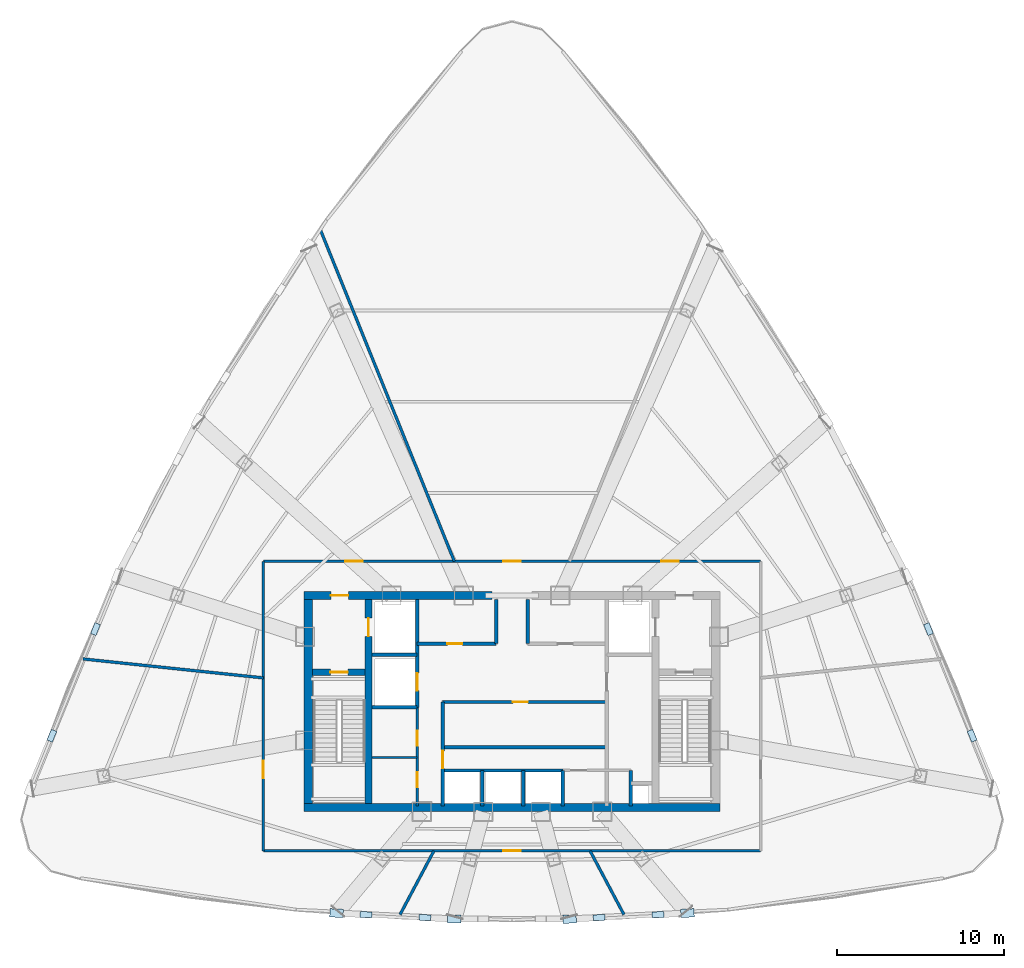
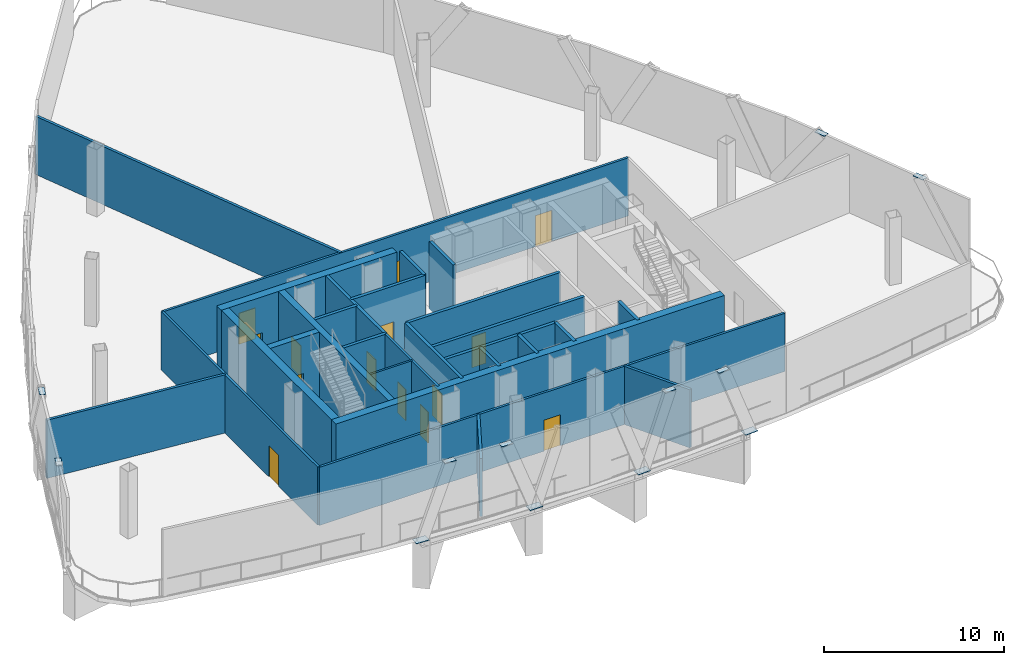
# One storey, part 6 of 12: 28 walls, 14 doors, 12 plates, 14 openings.
"""IFC4 building model written with IfcOpenShell, lengths in metres."""

from ifc_helpers import new_model, si_unit, direction, frame, frame_2d, origin, origin_with_axes, origin_2d, place, context, subcontext, project, spatial, rectangle, extrude, source, transform, mapped, material, layer, layer_set, type_object, element, fill, save


model = new_model("IFC4")

# Units and contexts
model_context = context("Model", 3, precision=1e-05, world=origin(), true_north=direction((0.0, 1.0)))
body_context = subcontext(model_context, "Body", "Model", "MODEL_VIEW")
ifc_project = project(units=[si_unit("LENGTHUNIT", "METRE"), si_unit("AREAUNIT", "SQUARE_METRE"), si_unit("VOLUMEUNIT", "CUBIC_METRE"), si_unit("PLANEANGLEUNIT", "RADIAN"), si_unit("MASSUNIT", "GRAM", prefix="KILO"), si_unit("THERMODYNAMICTEMPERATUREUNIT", "KELVIN"), si_unit("POWERUNIT", "WATT")], contexts=[model_context])

# Site, building, storey
site_placement = place(None, origin())
site = spatial("IfcSite", under=ifc_project, at=site_placement, CompositionType="ELEMENT")
building_placement = place(site_placement, origin())
building = spatial("IfcBuilding", under=site, at=building_placement, Name="Yunzhuo Pagoda Commons", CompositionType="ELEMENT")
storey_placement = place(building_placement, frame((0.0, 0.0, 320.7099609375)))
storey = spatial("IfcBuildingStorey", under=building, at=storey_placement, Name="L80", CompositionType="ELEMENT", Elevation=320.7099609375)

# Plates
ifc_material_1 = material(Name="Structural steel Q355B", Category="steel")
ifc_layer_1 = layer(ifc_material_1, 0.028076171875)
ifc_layer_set_1 = layer_set([ifc_layer_1], Name="Structural steel Q355B")
plate_type = type_object("IfcPlateType", Name="SP-ND1 Lattice Node Cap Plate 800x500x28", PredefinedType="USERDEFINED", material=ifc_layer_set_1)
shared_shape_1 = source(origin(), body_context, "Body", "SweptSolid", [
    extrude(rectangle(XDim=0.800048828125, YDim=0.5, at=origin_2d()), origin(), (0.0, 0.0, 1.0), 0.028076171875),
])
for number, where, z_axis, x_axis, name in (
    (1, (37.485595703125, 21.16943359375, -0.2939453125), (0.0, 0.0, 1.0), (0.998757045498, -0.049843395432, 0.0), "L80 diamond node plate F1.1A"),
    (2, (44.548095703125, 20.81689453125, -0.2939453125), (0.0, 0.0, 1.0), (1.0, 0.0, 0.0), "L80 diamond node plate F1.2A"),
    (3, (51.451904296875, 20.81689453125, -0.2939453125), (0.0, 0.0, 1.0), (0.998757045498, 0.049843395432, 0.0), "L80 diamond node plate F1.3A"),
    (4, (58.514404296875, 21.16943359375, -0.2939453125), (0.0, 0.0, 1.0), (0.998757045498, 0.049843395432, 0.0), "L80 diamond node plate F1.3B"),
):
    element("IfcPlate", number, at=place(storey_placement, frame(where, z_axis=z_axis, x_axis=x_axis)), inside=storey, type_object=plate_type, Name=name, ObjectType="STIFFENER_PLATE", PredefinedType="USERDEFINED", context=body_context, shape_type="MappedRepresentation", body=[
        mapped(shared_shape_1, transform((0.0, 0.0, 0.0), scale=1.0)),
    ])
shared_shape_2 = source(origin(), body_context, "Body", "SweptSolid", [
    extrude(rectangle(XDim=0.699951171875, YDim=0.35009765625, at=origin_2d()), origin(), (0.0, 0.0, 1.0), 0.035888671875),
])
for number, where, z_axis, x_axis, name in (
    (5, (39.251220703125, 21.081298828125, 4.501953125), (0.0, 0.0, 1.0), (0.998757045498, -0.049843395432, 0.0), "L80 setback lattice tie plate F1.1L"),
    (6, (42.782470703125, 20.905029296875, 4.501953125), (0.0, 0.0, 1.0), (0.998757045498, -0.049843395432, 0.0), "L80 setback lattice tie plate F1.1R"),
    (7, (53.217529296875, 20.905029296875, 4.501953125), (0.0, 0.0, 1.0), (0.998757045498, 0.049843395432, 0.0), "L80 setback lattice tie plate F1.3L"),
    (8, (56.748779296875, 21.081298828125, 4.501953125), (0.0, 0.0, 1.0), (0.998757045498, 0.049843395432, 0.0), "L80 setback lattice tie plate F1.3R"),
    (9, (75.571044921875, 31.80224609375, 4.501953125), (0.0, 0.0, 1.0), (-0.378567847265, 0.925573543819, 0.0), "L80 setback lattice tie plate F2.1L"),
    (10, (72.9580078125, 38.190673828125, 4.501953125), (0.0, 0.0, 1.0), (-0.378567847265, 0.925573543819, 0.0), "L80 setback lattice tie plate F2.1R"),
    (11, (23.0419921875, 38.190673828125, 4.501953125), (0.0, 0.0, 1.0), (-0.378567847265, -0.925573543819, 0.0), "L80 setback lattice tie plate F3.3L"),
    (12, (20.428955078125, 31.80224609375, 4.501953125), (0.0, 0.0, 1.0), (-0.378567847265, -0.925573543819, 0.0), "L80 setback lattice tie plate F3.3R"),
):
    element("IfcPlate", number, at=place(storey_placement, frame(where, z_axis=z_axis, x_axis=x_axis)), inside=storey, type_object=plate_type, Name=name, ObjectType="STIFFENER_PLATE", PredefinedType="USERDEFINED", context=body_context, shape_type="MappedRepresentation", body=[
        mapped(shared_shape_2, transform((0.0, 0.0, 0.0), scale=1.0)),
    ])

# Wall
ifc_material_2 = material(Name="Concrete C50", Category="concrete")
ifc_layer_2 = layer(ifc_material_2, 0.5)
ifc_layer_set_2 = layer_set([ifc_layer_2], Name="Concrete C50")
wall_type_1 = type_object("IfcWallType", Name="W-C03 Upper Core Shear Wall 500", PredefinedType="SHEAR", material=ifc_layer_set_2)
wall_1_placement = place(storey_placement, frame((35.550048828125, 27.5, 0.0), z_axis=(0.0, 0.0, 1.0), x_axis=(1.0, 0.0, 0.0)))
element("IfcWall", 13, at=wall_1_placement, inside=storey, type_object=wall_type_1, Name="L80 core shear wall S", PredefinedType="SHEAR", context=body_context, shape_type="SweptSolid", body=[
    extrude(rectangle(XDim=24.89990234375, YDim=0.5, at=frame_2d((12.449951171875, 0.0))), origin(), (0.0, 0.0, 1.0), 4.5400390625),
])

# Wall, opening, door
wall_2_placement = place(storey_placement, frame((35.550048828125, 40.199951171875, 0.0), z_axis=(0.0, 0.0, 1.0), x_axis=(1.0, 0.0, 0.0)))
wall_2 = element("IfcWall", 14, at=wall_2_placement, inside=storey, type_object=wall_type_1, Name="L80 core shear wall NW", PredefinedType="SHEAR", context=body_context, shape_type="SweptSolid", body=[
    extrude(rectangle(XDim=11.25, YDim=0.5, at=frame_2d((5.625, 0.0))), origin(), (0.0, 0.0, 1.0), 4.5400390625),
])
opening_1_placement = place(wall_2_placement, frame((1.60009765625, 0.0, 0.0)))
opening_1 = element("IfcOpeningElement", 15, at=opening_1_placement, cuts=wall_2, Name="Opening D-02", PredefinedType="OPENING", context=body_context, shape_type="SweptSolid", body=[
    extrude(rectangle(XDim=1.050048828125, YDim=2.10009765625, at=frame_2d((0.52490234375, 1.050048828125))), frame((0.0, 0.260009765625, 0.0), z_axis=(0.0, -1.0, 0.0), x_axis=(1.0, 0.0, 0.0)), (0.0, 0.0, 1.0), 0.52001953125),
])
ifc_material_3 = material(Name="Galvanized fire-resisting metal leaf")
door_type_1 = type_object("IfcDoorType", Name="D-02 Firefighting Lobby & Refuge Fire Door 1050x2100", OperationType="NOTDEFINED", PredefinedType="DOOR", material=ifc_material_3)
shared_shape_3 = source(origin(), body_context, "Body", "SweptSolid", [
    extrude(rectangle(XDim=1.050048828125, YDim=2.10009765625, at=frame_2d((0.52490234375, 1.050048828125))), frame((0.0, 0.02490234375, 0.0), z_axis=(0.0, -1.0, 0.0), x_axis=(1.0, 0.0, 0.0)), (0.0, 0.0, 1.0), 0.050048828125),
])
door_1_placement = place(opening_1_placement, frame((1.050048828125, 0.0, 0.0), z_axis=(0.0, 0.0, 1.0), x_axis=(-1.0, 0.0, 0.0)))
door_1 = element("IfcDoor", 16, at=door_1_placement, inside=storey, type_object=door_type_1, Name="L80 Firefighting Lobby 1 fire door", OperationType="SINGLE_SWING_LEFT", OverallHeight=2.10009765625, OverallWidth=1.050048828125, PredefinedType="DOOR", context=body_context, shape_type="MappedRepresentation", body=[
    mapped(shared_shape_3, transform((0.0, 0.0, 0.0), scale=1.0)),
])
fill(opening_1, door_1)

# Wall
wall_3_placement = place(storey_placement, frame((35.800048828125, 27.75, 0.0), z_axis=(0.0, 0.0, 1.0), x_axis=(0.0, 1.0, 0.0)))
element("IfcWall", 17, at=wall_3_placement, inside=storey, type_object=wall_type_1, Name="L80 core shear wall W", PredefinedType="SHEAR", context=body_context, shape_type="SweptSolid", body=[
    extrude(rectangle(XDim=12.199951171875, YDim=0.5, at=frame_2d((6.10009765625, 0.0))), origin(), (0.0, 0.0, 1.0), 4.5400390625),
])

# Wall, openings, doors
ifc_material_4 = material(Name="Gypsum plasterboard on acoustic stud")
ifc_layer_3 = layer(ifc_material_4, 0.14990234375)
ifc_layer_set_3 = layer_set([ifc_layer_3], Name="Gypsum plasterboard on acoustic stud")
wall_type_2 = type_object("IfcWallType", Name="W-COR3 High-Zone Rated Corridor Wall 150", PredefinedType="PARTITIONING", material=ifc_layer_set_3)
wall_4_placement = place(storey_placement, frame((42.320068359375, 27.60009765625, 0.0), z_axis=(0.0, 0.0, 1.0), x_axis=(0.0, 1.0, 0.0)))
wall_4 = element("IfcWall", 18, at=wall_4_placement, inside=storey, type_object=wall_type_2, Name="L80 interior wall IW-L80-CSWE", PredefinedType="PARTITIONING", context=body_context, shape_type="SweptSolid", body=[
    extrude(rectangle(XDim=5.89990234375, YDim=0.14990234375, at=frame_2d((2.949951171875, 0.0))), origin(), (0.0, 0.0, 1.0), 4.5400390625),
])
opening_2_placement = place(wall_4_placement, frame((1.10009765625, 0.0, 0.0)))
opening_2 = element("IfcOpeningElement", 19, at=opening_2_placement, cuts=wall_4, Name="Opening D-03", PredefinedType="OPENING", context=body_context, shape_type="SweptSolid", body=[
    extrude(rectangle(XDim=0.89990234375, YDim=2.10009765625, at=frame_2d((0.449951171875, 1.050048828125))), frame((0.0, 0.0849609375, 0.0), z_axis=(0.0, -1.0, 0.0), x_axis=(1.0, 0.0, 0.0)), (0.0, 0.0, 1.0), 0.169921875),
])
opening_3_placement = place(wall_4_placement, frame((3.60009765625, 0.0, 0.0)))
opening_3 = element("IfcOpeningElement", 20, at=opening_3_placement, cuts=wall_4, Name="Opening D-03", PredefinedType="OPENING", context=body_context, shape_type="SweptSolid", body=[
    extrude(rectangle(XDim=0.89990234375, YDim=2.10009765625, at=frame_2d((0.449951171875, 1.050048828125))), frame((0.0, 0.0849609375, 0.0), z_axis=(0.0, -1.0, 0.0), x_axis=(1.0, 0.0, 0.0)), (0.0, 0.0, 1.0), 0.169921875),
])
door_type_2 = type_object("IfcDoorType", Name="D-03 Core Service Fire Door 900x2100", OperationType="NOTDEFINED", PredefinedType="DOOR", material=ifc_material_3)
shared_shape_4 = source(origin(), body_context, "Body", "SweptSolid", [
    extrude(rectangle(XDim=0.89990234375, YDim=2.10009765625, at=frame_2d((0.449951171875, 1.050048828125))), frame((0.0, 0.02490234375, 0.0), z_axis=(0.0, -1.0, 0.0), x_axis=(1.0, 0.0, 0.0)), (0.0, 0.0, 1.0), 0.050048828125),
])
door_2_placement = place(opening_2_placement, origin_with_axes())
door_2 = element("IfcDoor", 21, at=door_2_placement, inside=storey, type_object=door_type_2, Name="L80 housekeeping door", OperationType="SINGLE_SWING_RIGHT", OverallHeight=2.10009765625, OverallWidth=0.89990234375, PredefinedType="DOOR", context=body_context, shape_type="MappedRepresentation", body=[
    mapped(shared_shape_4, transform((0.0, 0.0, 0.0), scale=1.0)),
])
fill(opening_2, door_2)
door_3_placement = place(opening_3_placement, origin_with_axes())
door_3 = element("IfcDoor", 22, at=door_3_placement, inside=storey, type_object=door_type_2, Name="L80 core control door", OperationType="SINGLE_SWING_RIGHT", OverallHeight=2.10009765625, OverallWidth=0.89990234375, PredefinedType="DOOR", context=body_context, shape_type="MappedRepresentation", body=[
    mapped(shared_shape_4, transform((0.0, 0.0, 0.0), scale=1.0)),
])
fill(opening_3, door_3)

# Wall, opening, door
wall_5_placement = place(storey_placement, frame((33.10009765625, 24.89990234375, 0.0), z_axis=(0.0, 0.0, 1.0), x_axis=(1.0, 0.0, 0.0)))
wall_5 = element("IfcWall", 23, at=wall_5_placement, inside=storey, type_object=wall_type_2, Name="L80 interior wall IW-L80-SCW01", PredefinedType="PARTITIONING", context=body_context, shape_type="SweptSolid", body=[
    extrude(rectangle(XDim=29.7998046875, YDim=0.14990234375, at=frame_2d((14.89990234375, 0.0))), origin(), (0.0, 0.0, 1.0), 3.93994140625),
])
opening_4_placement = place(wall_5_placement, frame((14.375, 0.0, 0.0)))
opening_4 = element("IfcOpeningElement", 24, at=opening_4_placement, cuts=wall_5, Name="Opening D-02", PredefinedType="OPENING", context=body_context, shape_type="SweptSolid", body=[
    extrude(rectangle(XDim=1.050048828125, YDim=2.10009765625, at=frame_2d((0.52490234375, 1.050048828125))), frame((0.0, 0.0849609375, 0.0), z_axis=(0.0, -1.0, 0.0), x_axis=(1.0, 0.0, 0.0)), (0.0, 0.0, 1.0), 0.169921875),
])
door_4_placement = place(opening_4_placement, origin_with_axes())
door_4 = element("IfcDoor", 25, at=door_4_placement, inside=storey, type_object=door_type_1, Name="L80 South Refuge Area door", OperationType="SINGLE_SWING_LEFT", OverallHeight=2.10009765625, OverallWidth=1.050048828125, PredefinedType="DOOR", context=body_context, shape_type="MappedRepresentation", body=[
    mapped(shared_shape_3, transform((0.0, 0.0, 0.0), scale=1.0)),
])
fill(opening_4, door_4)

# Wall, openings, doors
wall_6_placement = place(storey_placement, frame((62.89990234375, 42.25, 0.0), z_axis=(0.0, 0.0, 1.0), x_axis=(-1.0, 0.0, 0.0)))
wall_6 = element("IfcWall", 26, at=wall_6_placement, inside=storey, type_object=wall_type_2, Name="L80 interior wall IW-L80-SCW03", PredefinedType="PARTITIONING", context=body_context, shape_type="SweptSolid", body=[
    extrude(rectangle(XDim=29.7998046875, YDim=0.14990234375, at=frame_2d((14.89990234375, 0.0))), origin(), (0.0, 0.0, 1.0), 3.93994140625),
])
opening_5_placement = place(wall_6_placement, frame((4.897705078125, 0.0, 0.0)))
opening_5 = element("IfcOpeningElement", 27, at=opening_5_placement, cuts=wall_6, Name="Opening D-02", PredefinedType="OPENING", context=body_context, shape_type="SweptSolid", body=[
    extrude(rectangle(XDim=1.050048828125, YDim=2.10009765625, at=frame_2d((0.52490234375, 1.050048828125))), frame((0.0, 0.0849609375, 0.0), z_axis=(0.0, -1.0, 0.0), x_axis=(1.0, 0.0, 0.0)), (0.0, 0.0, 1.0), 0.169921875),
])
opening_6_placement = place(wall_6_placement, frame((14.375, 0.0, 0.0)))
opening_6 = element("IfcOpeningElement", 28, at=opening_6_placement, cuts=wall_6, Name="Opening D-02", PredefinedType="OPENING", context=body_context, shape_type="SweptSolid", body=[
    extrude(rectangle(XDim=1.050048828125, YDim=2.10009765625, at=frame_2d((0.52490234375, 1.050048828125))), frame((0.0, 0.0849609375, 0.0), z_axis=(0.0, -1.0, 0.0), x_axis=(1.0, 0.0, 0.0)), (0.0, 0.0, 1.0), 0.169921875),
])
opening_7_placement = place(wall_6_placement, frame((23.852294921875, 0.0, 0.0)))
opening_7 = element("IfcOpeningElement", 29, at=opening_7_placement, cuts=wall_6, Name="Opening D-02", PredefinedType="OPENING", context=body_context, shape_type="SweptSolid", body=[
    extrude(rectangle(XDim=1.050048828125, YDim=2.10009765625, at=frame_2d((0.52490234375, 1.050048828125))), frame((0.0, 0.0849609375, 0.0), z_axis=(0.0, -1.0, 0.0), x_axis=(1.0, 0.0, 0.0)), (0.0, 0.0, 1.0), 0.169921875),
])
door_5_placement = place(opening_5_placement, origin_with_axes())
door_5 = element("IfcDoor", 30, at=door_5_placement, inside=storey, type_object=door_type_1, Name="L80 Air Handling Plant Room door", OperationType="SINGLE_SWING_LEFT", OverallHeight=2.10009765625, OverallWidth=1.050048828125, PredefinedType="DOOR", context=body_context, shape_type="MappedRepresentation", body=[
    mapped(shared_shape_3, transform((0.0, 0.0, 0.0), scale=1.0)),
])
fill(opening_5, door_5)
door_6_placement = place(opening_6_placement, origin_with_axes())
door_6 = element("IfcDoor", 31, at=door_6_placement, inside=storey, type_object=door_type_1, Name="L80 North Refuge Area door", OperationType="SINGLE_SWING_RIGHT", OverallHeight=2.10009765625, OverallWidth=1.050048828125, PredefinedType="DOOR", context=body_context, shape_type="MappedRepresentation", body=[
    mapped(shared_shape_3, transform((0.0, 0.0, 0.0), scale=1.0)),
])
fill(opening_6, door_6)
door_7_placement = place(opening_7_placement, origin_with_axes())
door_7 = element("IfcDoor", 32, at=door_7_placement, inside=storey, type_object=door_type_1, Name="L80 Hydronic and Fire Pump Plant Room door", OperationType="SINGLE_SWING_LEFT", OverallHeight=2.10009765625, OverallWidth=1.050048828125, PredefinedType="DOOR", context=body_context, shape_type="MappedRepresentation", body=[
    mapped(shared_shape_3, transform((0.0, 0.0, 0.0), scale=1.0)),
])
fill(opening_7, door_7)

# Wall, opening, door
wall_7_placement = place(storey_placement, frame((33.10009765625, 42.25, 0.0), z_axis=(0.0, 0.0, 1.0), x_axis=(0.0, -1.0, 0.0)))
wall_7 = element("IfcWall", 33, at=wall_7_placement, inside=storey, type_object=wall_type_2, Name="L80 interior wall IW-L80-SCW04", PredefinedType="PARTITIONING", context=body_context, shape_type="SweptSolid", body=[
    extrude(rectangle(XDim=17.35009765625, YDim=0.14990234375, at=frame_2d((8.675048828125, 0.0))), origin(), (0.0, 0.0, 1.0), 3.93994140625),
])
opening_8_placement = place(wall_7_placement, frame((11.94189453125, 0.0, 0.0)))
opening_8 = element("IfcOpeningElement", 34, at=opening_8_placement, cuts=wall_7, Name="Opening D-02", PredefinedType="OPENING", context=body_context, shape_type="SweptSolid", body=[
    extrude(rectangle(XDim=1.050048828125, YDim=2.10009765625, at=frame_2d((0.52490234375, 1.050048828125))), frame((0.0, 0.0849609375, 0.0), z_axis=(0.0, -1.0, 0.0), x_axis=(1.0, 0.0, 0.0)), (0.0, 0.0, 1.0), 0.169921875),
])
door_8_placement = place(opening_8_placement, origin_with_axes())
door_8 = element("IfcDoor", 35, at=door_8_placement, inside=storey, type_object=door_type_1, Name="L80 South Refuge Area door", OperationType="SINGLE_SWING_RIGHT", OverallHeight=2.10009765625, OverallWidth=1.050048828125, PredefinedType="DOOR", context=body_context, shape_type="MappedRepresentation", body=[
    mapped(shared_shape_3, transform((0.0, 0.0, 0.0), scale=1.0)),
])
fill(opening_8, door_8)

# Walls
ifc_layer_4 = layer(ifc_material_4, 0.1201171875)
ifc_layer_set_4 = layer_set([ifc_layer_4], Name="Gypsum plasterboard on acoustic stud")
wall_type_3 = type_object("IfcWallType", Name="W-PRT1 Suite & Bathroom Partition 120", PredefinedType="PARTITIONING", material=ifc_layer_set_4)
wall_8_placement = place(storey_placement, frame((39.60009765625, 30.5, 0.0), z_axis=(0.0, 0.0, 1.0), x_axis=(1.0, 0.0, 0.0)))
element("IfcWall", 36, at=wall_8_placement, inside=storey, type_object=wall_type_3, Name="L80 interior wall IW-L80-CB1", PredefinedType="PARTITIONING", context=body_context, shape_type="SweptSolid", body=[
    extrude(rectangle(XDim=2.719970703125, YDim=0.1201171875, at=frame_2d((1.35986328125, 0.0))), origin(), (0.0, 0.0, 1.0), 4.5400390625),
])
ifc_layer_5 = layer(ifc_material_4, 0.169921875)
ifc_layer_set_5 = layer_set([ifc_layer_5], Name="Gypsum plasterboard on acoustic stud")
wall_type_4 = type_object("IfcWallType", Name="W-PRT4 High-Zone Demising Wall 170", PredefinedType="PARTITIONING", material=ifc_layer_set_5)
wall_9_placement = place(storey_placement, frame((44.545654296875, 42.25, 0.0), z_axis=(0.0, 0.0, 1.0), x_axis=(-0.374603551527, 0.927185083564, 0.0)))
element("IfcWall", 37, at=wall_9_placement, inside=storey, type_object=wall_type_4, Name="L80 interior wall IW-L80-SRAD3", PredefinedType="PARTITIONING", context=body_context, shape_type="SweptSolid", body=[
    extrude(rectangle(XDim=21.43212890625, YDim=0.169921875, at=frame_2d((10.716064453125, 0.0))), origin(), (0.0, 0.0, 1.0), 3.93994140625),
])
wall_10_placement = place(storey_placement, frame((33.10009765625, 35.26611328125, 0.0), z_axis=(0.0, 0.0, 1.0), x_axis=(-0.994523538022, 0.104512833281, 0.0)))
element("IfcWall", 38, at=wall_10_placement, inside=storey, type_object=wall_type_4, Name="L80 interior wall IW-L80-SRAD4", PredefinedType="PARTITIONING", context=body_context, shape_type="SweptSolid", body=[
    extrude(rectangle(XDim=10.86474609375, YDim=0.169921875, at=frame_2d((5.432373046875, 0.0))), origin(), (0.0, 0.0, 1.0), 3.93994140625),
])
for number, where, z_axis, x_axis, name in (
    (39, (43.321044921875, 24.89990234375, 0.0), (0.0, 0.0, 1.0), (-0.469500598457, -0.882932153706, 0.0), "L80 interior wall IW-L80-SRAD5"),
    (40, (52.678955078125, 24.89990234375, 0.0), (0.0, 0.0, 1.0), (0.469500598457, -0.882932153706, 0.0), "L80 interior wall IW-L80-SRAD6"),
):
    element("IfcWall", number, at=place(storey_placement, frame(where, z_axis=z_axis, x_axis=x_axis)), inside=storey, type_object=wall_type_4, Name=name, PredefinedType="PARTITIONING", context=body_context, shape_type="SweptSolid", body=[
        extrude(rectangle(XDim=4.32373046875, YDim=0.169921875, at=frame_2d((2.161865234375, 0.0))), origin(), (0.0, 0.0, 1.0), 3.93994140625),
    ])

# Wall, opening, door
ifc_material_5 = material(Name="Concrete C60", Category="concrete")
ifc_layer_6 = layer(ifc_material_5, 0.39990234375)
ifc_layer_set_6 = layer_set([ifc_layer_6], Name="Concrete C60")
wall_type_5 = type_object("IfcWallType", Name="W-S01 Internal Core Shear Web 400", PredefinedType="SHEAR", material=ifc_layer_set_6)
wall_11_placement = place(storey_placement, frame((39.39990234375, 27.75, 0.0), z_axis=(0.0, 0.0, 1.0), x_axis=(0.0, 1.0, 0.0)))
wall_11 = element("IfcWall", 41, at=wall_11_placement, inside=storey, type_object=wall_type_5, Name="L80 core shear wall WEBW", PredefinedType="SHEAR", context=body_context, shape_type="SweptSolid", body=[
    extrude(rectangle(XDim=12.199951171875, YDim=0.39990234375, at=frame_2d((6.10009765625, 0.0))), origin(), (0.0, 0.0, 1.0), 4.5400390625),
])
opening_9_placement = place(wall_11_placement, frame((10.0, 0.0, 0.0)))
opening_9 = element("IfcOpeningElement", 42, at=opening_9_placement, cuts=wall_11, Name="Opening LD-01", PredefinedType="OPENING", context=body_context, shape_type="SweptSolid", body=[
    extrude(rectangle(XDim=1.10009765625, YDim=2.10009765625, at=frame_2d((0.550048828125, 1.050048828125))), frame((0.0, 0.2099609375, 0.0), z_axis=(0.0, -1.0, 0.0), x_axis=(1.0, 0.0, 0.0)), (0.0, 0.0, 1.0), 0.419921875),
])
door_type_3 = type_object("IfcDoorType", Name="LD-01 Firefighting Lift Landing Door 1100x2100", OperationType="DOUBLE_DOOR_SLIDING", PredefinedType="DOOR", material=ifc_material_3)
shared_shape_5 = source(origin(), body_context, "Body", "SweptSolid", [
    extrude(rectangle(XDim=1.10009765625, YDim=2.10009765625, at=frame_2d((0.550048828125, 1.050048828125))), frame((0.0, 0.02490234375, 0.0), z_axis=(0.0, -1.0, 0.0), x_axis=(1.0, 0.0, 0.0)), (0.0, 0.0, 1.0), 0.050048828125),
])
door_9_placement = place(opening_9_placement, frame((1.10009765625, 0.0, 0.0), z_axis=(0.0, 0.0, 1.0), x_axis=(-1.0, 0.0, 0.0)))
door_9 = element("IfcDoor", 43, at=door_9_placement, inside=storey, type_object=door_type_3, Name="L80 Firefighting lift FL-1 landing door", OperationType="DOUBLE_DOOR_SLIDING", OverallHeight=2.10009765625, OverallWidth=1.10009765625, PredefinedType="DOOR", context=body_context, shape_type="MappedRepresentation", body=[
    mapped(shared_shape_5, transform((0.0, 0.0, 0.0), scale=1.0)),
])
fill(opening_9, door_9)

wall_12_placement = place(storey_placement, frame((36.050048828125, 35.60009765625, 0.0), z_axis=(0.0, 0.0, 1.0), x_axis=(1.0, 0.0, 0.0)))
wall_12 = element("IfcWall", 44, at=wall_12_placement, inside=storey, type_object=wall_type_5, Name="L80 core shear wall STW", PredefinedType="SHEAR", context=body_context, shape_type="SweptSolid", body=[
    extrude(rectangle(XDim=3.14990234375, YDim=0.39990234375, at=frame_2d((1.574951171875, 0.0))), origin(), (0.0, 0.0, 1.0), 4.5400390625),
])
opening_10_placement = place(wall_12_placement, frame((1.070068359375, 0.0, 0.0)))
opening_10 = element("IfcOpeningElement", 45, at=opening_10_placement, cuts=wall_12, Name="Opening D-01", PredefinedType="OPENING", context=body_context, shape_type="SweptSolid", body=[
    extrude(rectangle(XDim=1.050048828125, YDim=2.10009765625, at=frame_2d((0.52490234375, 1.050048828125))), frame((0.0, 0.2099609375, 0.0), z_axis=(0.0, -1.0, 0.0), x_axis=(1.0, 0.0, 0.0)), (0.0, 0.0, 1.0), 0.419921875),
])
door_type_4 = type_object("IfcDoorType", Name="D-01 Smokeproof Stair Fire Door 1050x2100", OperationType="NOTDEFINED", PredefinedType="DOOR", material=ifc_material_3)
door_10_placement = place(opening_10_placement, frame((1.050048828125, 0.0, 0.0), z_axis=(0.0, 0.0, 1.0), x_axis=(-1.0, 0.0, 0.0)))
door_10 = element("IfcDoor", 46, at=door_10_placement, inside=storey, type_object=door_type_4, Name="L80 Stair ST1 fire door", OperationType="SINGLE_SWING_LEFT", OverallHeight=2.10009765625, OverallWidth=1.050048828125, PredefinedType="DOOR", context=body_context, shape_type="MappedRepresentation", body=[
    mapped(shared_shape_3, transform((0.0, 0.0, 0.0), scale=1.0)),
])
fill(opening_10, door_10)

ifc_material_6 = material(Name="Concrete C40", Category="concrete")
ifc_layer_7 = layer(ifc_material_6, 0.199951171875)
ifc_layer_set_7 = layer_set([ifc_layer_7], Name="Concrete C40")
wall_type_6 = type_object("IfcWallType", Name="W-SHF Shaft & Stair Enclosure Wall 200", PredefinedType="SOLIDWALL", material=ifc_layer_set_7)
wall_13_placement = place(storey_placement, frame((42.320068359375, 33.5, 0.0), z_axis=(0.0, 0.0, 1.0), x_axis=(0.0, 1.0, 0.0)))
wall_13 = element("IfcWall", 47, at=wall_13_placement, inside=storey, type_object=wall_type_6, Name="L80 interior wall IW-L80-FL1E", PredefinedType="SOLIDWALL", context=body_context, shape_type="SweptSolid", body=[
    extrude(rectangle(XDim=6.449951171875, YDim=0.199951171875, at=frame_2d((3.22509765625, 0.0))), origin(), (0.0, 0.0, 1.0), 4.5400390625),
])
opening_11_placement = place(wall_13_placement, frame((1.0, 0.0, 0.0)))
opening_11 = element("IfcOpeningElement", 48, at=opening_11_placement, cuts=wall_13, Name="Opening LD-02", PredefinedType="OPENING", context=body_context, shape_type="SweptSolid", body=[
    extrude(rectangle(XDim=1.050048828125, YDim=2.10009765625, at=frame_2d((0.52490234375, 1.050048828125))), frame((0.0, 0.10986328125, 0.0), z_axis=(0.0, -1.0, 0.0), x_axis=(1.0, 0.0, 0.0)), (0.0, 0.0, 1.0), 0.219970703125),
])
door_type_5 = type_object("IfcDoorType", Name="LD-02 Passenger Lift Landing Door 1050x2100", OperationType="DOUBLE_DOOR_SLIDING", PredefinedType="DOOR", material=ifc_material_3)
door_11_placement = place(opening_11_placement, origin_with_axes())
door_11 = element("IfcDoor", 49, at=door_11_placement, inside=storey, type_object=door_type_5, Name="L80 Service lift SL-1 landing door", OperationType="DOUBLE_DOOR_SLIDING", OverallHeight=2.10009765625, OverallWidth=1.050048828125, PredefinedType="DOOR", context=body_context, shape_type="MappedRepresentation", body=[
    mapped(shared_shape_3, transform((0.0, 0.0, 0.0), scale=1.0)),
])
fill(opening_11, door_11)

# Walls
for number, where, z_axis, x_axis, name in (
    (50, (39.60009765625, 36.64990234375, 0.0), (0.0, 0.0, 1.0), (1.0, 0.0, 0.0), "L80 interior wall IW-L80-FL1S"),
    (51, (39.60009765625, 33.5, 0.0), (0.0, 0.0, 1.0), (1.0, 0.0, 0.0), "L80 interior wall IW-L80-SL1S"),
):
    element("IfcWall", number, at=place(storey_placement, frame(where, z_axis=z_axis, x_axis=x_axis)), inside=storey, type_object=wall_type_6, Name=name, PredefinedType="SOLIDWALL", context=body_context, shape_type="SweptSolid", body=[
        extrude(rectangle(XDim=2.719970703125, YDim=0.199951171875, at=frame_2d((1.35986328125, 0.0))), origin(), (0.0, 0.0, 1.0), 4.5400390625),
    ])

# Wall, opening, door
wall_14_placement = place(storey_placement, frame((42.320068359375, 37.320068359375, 0.0), z_axis=(0.0, 0.0, 1.0), x_axis=(1.0, 0.0, 0.0)))
wall_14 = element("IfcWall", 52, at=wall_14_placement, inside=storey, type_object=wall_type_6, Name="L80 interior wall IW-L80-LBNW", PredefinedType="SOLIDWALL", context=body_context, shape_type="SweptSolid", body=[
    extrude(rectangle(XDim=4.72998046875, YDim=0.199951171875, at=frame_2d((2.364990234375, 0.0))), origin(), (0.0, 0.0, 1.0), 4.5400390625),
])
opening_12_placement = place(wall_14_placement, frame((1.800048828125, 0.0, 0.0)))
opening_12 = element("IfcOpeningElement", 53, at=opening_12_placement, cuts=wall_14, Name="Opening D-03", PredefinedType="OPENING", context=body_context, shape_type="SweptSolid", body=[
    extrude(rectangle(XDim=0.89990234375, YDim=2.10009765625, at=frame_2d((0.449951171875, 1.050048828125))), frame((0.0, 0.10986328125, 0.0), z_axis=(0.0, -1.0, 0.0), x_axis=(1.0, 0.0, 0.0)), (0.0, 0.0, 1.0), 0.219970703125),
])
door_12_placement = place(opening_12_placement, frame((0.89990234375, 0.0, 0.0), z_axis=(0.0, 0.0, 1.0), x_axis=(-1.0, 0.0, 0.0)))
door_12 = element("IfcDoor", 54, at=door_12_placement, inside=storey, type_object=door_type_2, Name="L80 core west store door", OperationType="SINGLE_SWING_LEFT", OverallHeight=2.10009765625, OverallWidth=0.89990234375, PredefinedType="DOOR", context=body_context, shape_type="MappedRepresentation", body=[
    mapped(shared_shape_4, transform((0.0, 0.0, 0.0), scale=1.0)),
])
fill(opening_12, door_12)

# Walls
for number, where, z_axis, x_axis, name in (
    (55, (47.050048828125, 37.320068359375, 0.0), (0.0, 0.0, 1.0), (0.0, 1.0, 0.0), "L80 interior wall IW-L80-THRW"),
    (56, (48.949951171875, 37.320068359375, 0.0), (0.0, 0.0, 1.0), (0.0, 1.0, 0.0), "L80 interior wall IW-L80-THRE"),
):
    element("IfcWall", number, at=place(storey_placement, frame(where, z_axis=z_axis, x_axis=x_axis)), inside=storey, type_object=wall_type_6, Name=name, PredefinedType="SOLIDWALL", context=body_context, shape_type="SweptSolid", body=[
        extrude(rectangle(XDim=2.6298828125, YDim=0.199951171875, at=frame_2d((1.31494140625, 0.0))), origin(), (0.0, 0.0, 1.0), 4.5400390625),
    ])

# Wall, opening, door
wall_15_placement = place(storey_placement, frame((43.85009765625, 33.820068359375, 0.0), z_axis=(0.0, 0.0, 1.0), x_axis=(1.0, 0.0, 0.0)))
wall_15 = element("IfcWall", 57, at=wall_15_placement, inside=storey, type_object=wall_type_6, Name="L80 interior wall IW-L80-MLBS", PredefinedType="SOLIDWALL", context=body_context, shape_type="SweptSolid", body=[
    extrude(rectangle(XDim=9.829833984375, YDim=0.199951171875, at=frame_2d((4.9150390625, 0.0))), origin(), (0.0, 0.0, 1.0), 4.5400390625),
])
opening_13_placement = place(wall_15_placement, frame((4.199951171875, 0.0, 0.0)))
opening_13 = element("IfcOpeningElement", 58, at=opening_13_placement, cuts=wall_15, Name="Opening D-03", PredefinedType="OPENING", context=body_context, shape_type="SweptSolid", body=[
    extrude(rectangle(XDim=0.89990234375, YDim=2.10009765625, at=frame_2d((0.449951171875, 1.050048828125))), frame((0.0, 0.10986328125, 0.0), z_axis=(0.0, -1.0, 0.0), x_axis=(1.0, 0.0, 0.0)), (0.0, 0.0, 1.0), 0.219970703125),
])
door_13_placement = place(opening_13_placement, origin_with_axes())
door_13 = element("IfcDoor", 59, at=door_13_placement, inside=storey, type_object=door_type_2, Name="L80 core archive store door", OperationType="SINGLE_SWING_LEFT", OverallHeight=2.10009765625, OverallWidth=0.89990234375, PredefinedType="DOOR", context=body_context, shape_type="MappedRepresentation", body=[
    mapped(shared_shape_4, transform((0.0, 0.0, 0.0), scale=1.0)),
])
fill(opening_13, door_13)

wall_16_placement = place(storey_placement, frame((43.85009765625, 27.60009765625, 0.0), z_axis=(0.0, 0.0, 1.0), x_axis=(0.0, 1.0, 0.0)))
wall_16 = element("IfcWall", 60, at=wall_16_placement, inside=storey, type_object=wall_type_6, Name="L80 interior wall IW-L80-PLMW", PredefinedType="SOLIDWALL", context=body_context, shape_type="SweptSolid", body=[
    extrude(rectangle(XDim=6.219970703125, YDim=0.199951171875, at=frame_2d((3.10986328125, 0.0))), origin(), (0.0, 0.0, 1.0), 4.5400390625),
])
opening_14_placement = place(wall_16_placement, frame((2.25, 0.0, 0.0)))
opening_14 = element("IfcOpeningElement", 61, at=opening_14_placement, cuts=wall_16, Name="Opening D-02", PredefinedType="OPENING", context=body_context, shape_type="SweptSolid", body=[
    extrude(rectangle(XDim=1.050048828125, YDim=2.10009765625, at=frame_2d((0.52490234375, 1.050048828125))), frame((0.0, 0.10986328125, 0.0), z_axis=(0.0, -1.0, 0.0), x_axis=(1.0, 0.0, 0.0)), (0.0, 0.0, 1.0), 0.219970703125),
])
door_14_placement = place(opening_14_placement, frame((1.050048828125, 0.0, 0.0), z_axis=(0.0, 0.0, 1.0), x_axis=(-1.0, 0.0, 0.0)))
door_14 = element("IfcDoor", 62, at=door_14_placement, inside=storey, type_object=door_type_1, Name="L80 High-bank hall west door", OperationType="SINGLE_SWING_LEFT", OverallHeight=2.10009765625, OverallWidth=1.050048828125, PredefinedType="DOOR", context=body_context, shape_type="MappedRepresentation", body=[
    mapped(shared_shape_3, transform((0.0, 0.0, 0.0), scale=1.0)),
])
fill(opening_14, door_14)

# Walls
wall_17_placement = place(storey_placement, frame((43.85009765625, 29.719970703125, 0.0), z_axis=(0.0, 0.0, 1.0), x_axis=(1.0, 0.0, 0.0)))
element("IfcWall", 63, at=wall_17_placement, inside=storey, type_object=wall_type_6, Name="L80 interior wall IW-L80-PLHN", PredefinedType="SOLIDWALL", context=body_context, shape_type="SweptSolid", body=[
    extrude(rectangle(XDim=7.199951171875, YDim=0.199951171875, at=frame_2d((3.60009765625, 0.0))), origin(), (0.0, 0.0, 1.0), 4.5400390625),
])
wall_18_placement = place(storey_placement, frame((51.050048828125, 27.60009765625, 0.0), z_axis=(0.0, 0.0, 1.0), x_axis=(0.0, 1.0, 0.0)))
element("IfcWall", 64, at=wall_18_placement, inside=storey, type_object=wall_type_6, Name="L80 interior wall IW-L80-PLHE", PredefinedType="SOLIDWALL", context=body_context, shape_type="SweptSolid", body=[
    extrude(rectangle(XDim=2.119873046875, YDim=0.199951171875, at=frame_2d((1.06005859375, 0.0))), origin(), (0.0, 0.0, 1.0), 4.5400390625),
])
wall_19_placement = place(storey_placement, frame((43.85009765625, 31.1201171875, 0.0), z_axis=(0.0, 0.0, 1.0), x_axis=(1.0, 0.0, 0.0)))
element("IfcWall", 65, at=wall_19_placement, inside=storey, type_object=wall_type_6, Name="L80 interior wall IW-L80-PLMS2", PredefinedType="SOLIDWALL", context=body_context, shape_type="SweptSolid", body=[
    extrude(rectangle(XDim=9.829833984375, YDim=0.199951171875, at=frame_2d((4.9150390625, 0.0))), origin(), (0.0, 0.0, 1.0), 4.5400390625),
])
for number, where, z_axis, x_axis, name in (
    (66, (46.22509765625, 27.60009765625, 0.0), (0.0, 0.0, 1.0), (0.0, 1.0, 0.0), "L80 interior wall IW-L80-PLHD1"),
    (67, (48.675048828125, 27.60009765625, 0.0), (0.0, 0.0, 1.0), (0.0, 1.0, 0.0), "L80 interior wall IW-L80-PLHD2"),
    (68, (55.1201171875, 27.60009765625, 0.0), (0.0, 0.0, 1.0), (0.0, 1.0, 0.0), "L80 interior wall IW-L80-RSHFW"),
):
    element("IfcWall", number, at=place(storey_placement, frame(where, z_axis=z_axis, x_axis=x_axis)), inside=storey, type_object=wall_type_6, Name=name, PredefinedType="SOLIDWALL", context=body_context, shape_type="SweptSolid", body=[
        extrude(rectangle(XDim=2.119873046875, YDim=0.199951171875, at=frame_2d((1.06005859375, 0.0))), origin(), (0.0, 0.0, 1.0), 4.5400390625),
    ])

save(model, "model.ifc")
